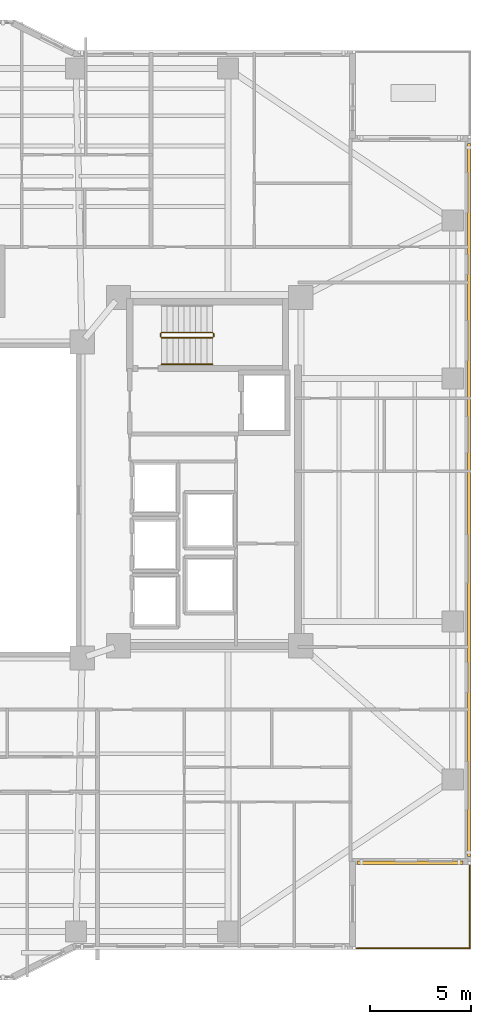
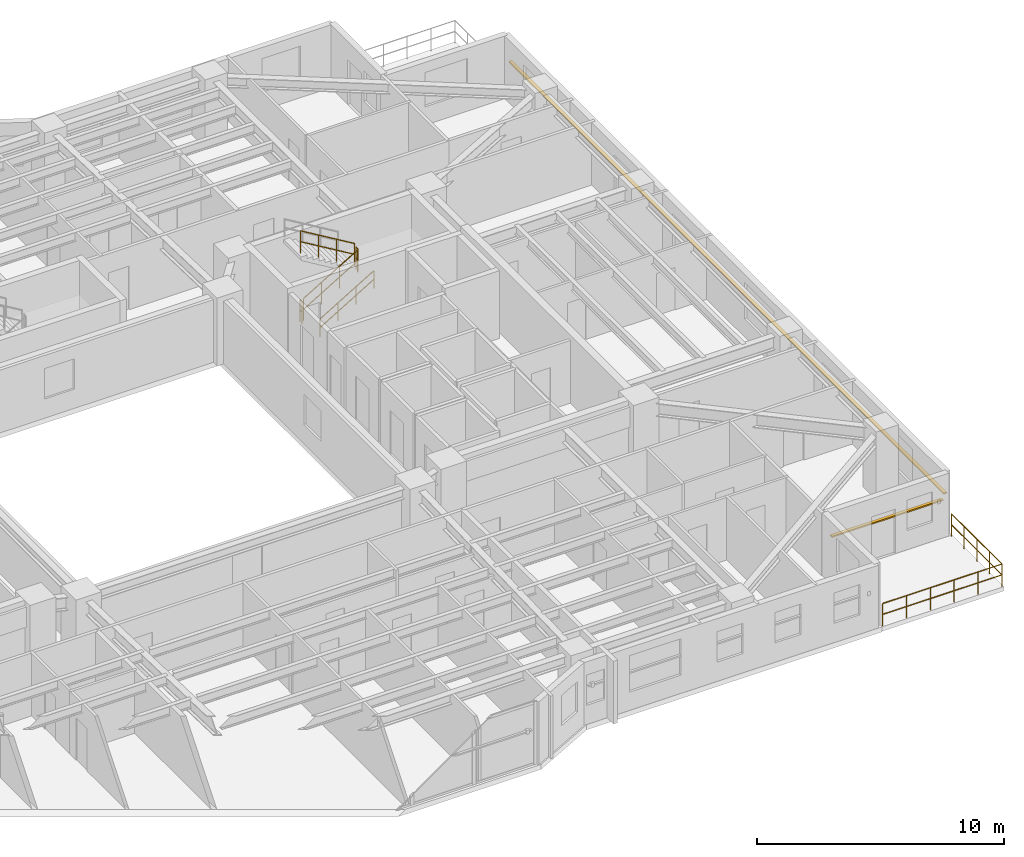
# One storey, part 17 of 19: 7 railings, 2 shading devices.
"""IFC4 building model written with IfcOpenShell, lengths in metres."""

from ifc_helpers import new_model, si_unit, direction, frame, origin, origin_2d, place, context, subcontext, project, spatial, rectangle, circle, extrude, material, material_profile, profile_set, type_object, element, save


model = new_model("IFC4")

# Units and contexts
model_context = context("Model", 3, precision=1e-05, world=origin(), true_north=direction((0.0, 1.0)))
body_context = subcontext(model_context, "Body", "Model", "MODEL_VIEW")
ifc_project = project(units=[si_unit("LENGTHUNIT", "METRE"), si_unit("AREAUNIT", "SQUARE_METRE"), si_unit("VOLUMEUNIT", "CUBIC_METRE"), si_unit("PLANEANGLEUNIT", "RADIAN"), si_unit("MASSUNIT", "GRAM", prefix="KILO")], contexts=[model_context])

# Site, building, storey
site_placement = place(None, origin())
site = spatial("IfcSite", under=ifc_project, at=site_placement, CompositionType="ELEMENT")
building_placement = place(site_placement, origin())
building = spatial("IfcBuilding", under=site, at=building_placement, Name="Tarnavaz Court Tower", CompositionType="ELEMENT")
storey_placement = place(building_placement, frame((0.0, 0.0, 78.300048828125)))
storey = spatial("IfcBuildingStorey", under=building, at=storey_placement, Name="L20", CompositionType="ELEMENT", Elevation=78.300048828125)

# Railings
ifc_material_1 = material(Name="Anodised Aluminium 6063-T6 and Laminated Safety Glass", Category="aluminium")
railing_type_1 = type_object("IfcRailingType", Name="RL-BAL-1120", PredefinedType="BALUSTRADE", material=ifc_material_1)
railing_1_placement = place(storey_placement, frame((21.360107421875, -22.139892578125, 0.0)))
element("IfcRailing", 1, at=railing_1_placement, inside=storey, type_object=railing_type_1, Name="L20 Terrace 3 S Perimeter Balustrade", PredefinedType="BALUSTRADE", context=body_context, shape_type="SweptSolid", body=[
    extrude(circle(Radius=0.02392578125, at=origin_2d()), frame((0.0, 0.0, 1.09619140625), z_axis=(1.0, 0.0, 0.0), x_axis=(0.0, 1.0, 0.0)), (0.0, 0.0, 1.0), 5.579833984375),
    extrude(circle(Radius=0.02392578125, at=origin_2d()), frame((0.0, 0.0, 0.56005859375), z_axis=(1.0, 0.0, 0.0), x_axis=(0.0, 1.0, 0.0)), (0.0, 0.0, 1.0), 5.579833984375),
    extrude(circle(Radius=0.02099609375, at=origin_2d()), origin(), (0.0, 0.0, 1.0), 1.072021484375),
    extrude(circle(Radius=0.02099609375, at=origin_2d()), frame((1.115966796875, 0.0, 0.0)), (0.0, 0.0, 1.0), 1.072021484375),
    extrude(circle(Radius=0.02099609375, at=origin_2d()), frame((2.23193359375, 0.0, 0.0)), (0.0, 0.0, 1.0), 1.072021484375),
    extrude(circle(Radius=0.02099609375, at=origin_2d()), frame((3.347900390625, 0.0, 0.0)), (0.0, 0.0, 1.0), 1.072021484375),
    extrude(circle(Radius=0.02099609375, at=origin_2d()), frame((4.4638671875, 0.0, 0.0)), (0.0, 0.0, 1.0), 1.072021484375),
    extrude(circle(Radius=0.02099609375, at=origin_2d()), frame((5.579833984375, 0.0, 0.0)), (0.0, 0.0, 1.0), 1.072021484375),
])
railing_2_placement = place(storey_placement, frame((26.93994140625, -22.139892578125, 0.0)))
element("IfcRailing", 2, at=railing_2_placement, inside=storey, type_object=railing_type_1, Name="L20 Terrace 3 E Perimeter Balustrade", PredefinedType="BALUSTRADE", context=body_context, shape_type="SweptSolid", body=[
    extrude(circle(Radius=0.02392578125, at=origin_2d()), frame((0.0, 0.0, 1.09619140625), z_axis=(0.0, 1.0, 0.0), x_axis=(-1.0, 0.0, 0.0)), (0.0, 0.0, 1.0), 4.079833984375),
    extrude(circle(Radius=0.02392578125, at=origin_2d()), frame((0.0, 0.0, 0.56005859375), z_axis=(0.0, 1.0, 0.0), x_axis=(-1.0, 0.0, 0.0)), (0.0, 0.0, 1.0), 4.079833984375),
    extrude(circle(Radius=0.02099609375, at=origin_2d()), origin(), (0.0, 0.0, 1.0), 1.072021484375),
    extrude(circle(Radius=0.02099609375, at=origin_2d()), frame((0.0, 1.02001953125, 0.0)), (0.0, 0.0, 1.0), 1.072021484375),
    extrude(circle(Radius=0.02099609375, at=origin_2d()), frame((0.0, 2.0400390625, 0.0)), (0.0, 0.0, 1.0), 1.072021484375),
    extrude(circle(Radius=0.02099609375, at=origin_2d()), frame((0.0, 3.059814453125, 0.0)), (0.0, 0.0, 1.0), 1.072021484375),
    extrude(circle(Radius=0.02099609375, at=origin_2d()), frame((0.0, 4.079833984375, 0.0)), (0.0, 0.0, 1.0), 1.072021484375),
])
ifc_material_2 = material(Name="Brushed Stainless Steel", Category="steel")
railing_type_2 = type_object("IfcRailingType", Name="RL-HANDRAIL-900", PredefinedType="HANDRAIL", material=ifc_material_2)
railing_3_placement = place(storey_placement, frame((11.719970703125, 6.699951171875, 0.16748046875)))
element("IfcRailing", 3, at=railing_3_placement, inside=storey, type_object=railing_type_2, Name="L20 ST-E1 stair handrail 1", PredefinedType="HANDRAIL", context=body_context, shape_type="SweptSolid", body=[
    extrude(circle(Radius=0.02392578125, at=origin_2d()), frame((0.0, 0.0, 0.8759765625), z_axis=(0.858159760407, 0.0, 0.513382728203), x_axis=(0.0, 1.0, 0.0)), (0.0, 0.0, 1.0), 2.9365234375),
    extrude(circle(Radius=0.02392578125, at=origin_2d()), frame((0.0, 0.0, 0.449951171875), z_axis=(0.858159760407, 0.0, 0.513382728203), x_axis=(0.0, 1.0, 0.0)), (0.0, 0.0, 1.0), 2.9365234375),
    extrude(circle(Radius=0.02099609375, at=origin_2d()), origin(), (0.0, 0.0, 1.0), 0.851806640625),
    extrude(circle(Radius=0.02099609375, at=origin_2d()), frame((0.840087890625, 0.0, 0.50244140625)), (0.0, 0.0, 1.0), 0.851806640625),
    extrude(circle(Radius=0.02099609375, at=origin_2d()), frame((1.679931640625, 0.0, 1.005126953125)), (0.0, 0.0, 1.0), 0.851806640625),
    extrude(circle(Radius=0.02099609375, at=origin_2d()), frame((2.52001953125, 0.0, 1.507568359375)), (0.0, 0.0, 1.0), 0.851806640625),
])
ifc_material_3 = material(Name="Galvanized Painted Tubular Steel", Category="steel")
railing_type_3 = type_object("IfcRailingType", Name="RL-STGUARD-1120", PredefinedType="GUARDRAIL", material=ifc_material_3)
railing_4_placement = place(storey_placement, frame((11.719970703125, 8.02001953125, 0.16748046875)))
element("IfcRailing", 4, at=railing_4_placement, inside=storey, type_object=railing_type_3, Name="L20 ST-E1 stair guard 1", PredefinedType="GUARDRAIL", context=body_context, shape_type="SweptSolid", body=[
    extrude(circle(Radius=0.02392578125, at=origin_2d()), frame((0.0, 0.0, 1.09619140625), z_axis=(0.858159760407, 0.0, 0.513382728203), x_axis=(0.0, 1.0, 0.0)), (0.0, 0.0, 1.0), 2.9365234375),
    extrude(circle(Radius=0.02392578125, at=origin_2d()), frame((0.0, 0.0, 0.56005859375), z_axis=(0.858159760407, 0.0, 0.513382728203), x_axis=(0.0, 1.0, 0.0)), (0.0, 0.0, 1.0), 2.9365234375),
    extrude(circle(Radius=0.02099609375, at=origin_2d()), origin(), (0.0, 0.0, 1.0), 1.072021484375),
    extrude(circle(Radius=0.02099609375, at=origin_2d()), frame((0.840087890625, 0.0, 0.50244140625)), (0.0, 0.0, 1.0), 1.072021484375),
    extrude(circle(Radius=0.02099609375, at=origin_2d()), frame((1.679931640625, 0.0, 1.005126953125)), (0.0, 0.0, 1.0), 1.072021484375),
    extrude(circle(Radius=0.02099609375, at=origin_2d()), frame((2.52001953125, 0.0, 1.507568359375)), (0.0, 0.0, 1.0), 1.072021484375),
])
railing_5_placement = place(storey_placement, frame((14.2900390625, 8.070068359375, 1.675048828125)))
element("IfcRailing", 5, at=railing_5_placement, inside=storey, type_object=railing_type_3, Name="L20 ST-E1 stair guard 2", PredefinedType="GUARDRAIL", context=body_context, shape_type="SweptSolid", body=[
    extrude(circle(Radius=0.02392578125, at=origin_2d()), frame((0.0, 0.0, 1.09619140625), z_axis=(0.0, 1.0, 0.0), x_axis=(-1.0, 0.0, 0.0)), (0.0, 0.0, 1.0), 0.14990234375),
    extrude(circle(Radius=0.02392578125, at=origin_2d()), frame((0.0, 0.0, 0.56005859375), z_axis=(0.0, 1.0, 0.0), x_axis=(-1.0, 0.0, 0.0)), (0.0, 0.0, 1.0), 0.14990234375),
    extrude(circle(Radius=0.02099609375, at=origin_2d()), origin(), (0.0, 0.0, 1.0), 1.072021484375),
    extrude(circle(Radius=0.02099609375, at=origin_2d()), frame((0.0, 0.14990234375, 0.0)), (0.0, 0.0, 1.0), 1.072021484375),
])
railing_6_placement = place(storey_placement, frame((14.239990234375, 8.27001953125, 1.842529296875)))
element("IfcRailing", 6, at=railing_6_placement, inside=storey, type_object=railing_type_3, Name="L20 ST-E1 stair guard 3", PredefinedType="GUARDRAIL", context=body_context, shape_type="SweptSolid", body=[
    extrude(circle(Radius=0.02392578125, at=origin_2d()), frame((0.0, 0.0, 1.09619140625), z_axis=(-0.858196387827, 0.0, 0.513321497621), x_axis=(0.0, -1.0, 0.0)), (0.0, 0.0, 1.0), 2.9365234375),
    extrude(circle(Radius=0.02392578125, at=origin_2d()), frame((0.0, 0.0, 0.56005859375), z_axis=(-0.858196387827, 0.0, 0.513321497621), x_axis=(0.0, -1.0, 0.0)), (0.0, 0.0, 1.0), 2.9365234375),
    extrude(circle(Radius=0.02099609375, at=origin_2d()), origin(), (0.0, 0.0, 1.0), 1.072021484375),
    extrude(circle(Radius=0.02099609375, at=origin_2d()), frame((-0.840087890625, 0.0, 0.50244140625)), (0.0, 0.0, 1.0), 1.072021484375),
    extrude(circle(Radius=0.02099609375, at=origin_2d()), frame((-1.679931640625, 0.0, 1.0048828125)), (0.0, 0.0, 1.0), 1.072021484375),
    extrude(circle(Radius=0.02099609375, at=origin_2d()), frame((-2.52001953125, 0.0, 1.50732421875)), (0.0, 0.0, 1.0), 1.072021484375),
])
railing_7_placement = place(storey_placement, frame((11.669921875, 8.070068359375, 0.0)))
element("IfcRailing", 7, at=railing_7_placement, inside=storey, type_object=railing_type_3, Name="L20 ST-E1 stair guard 4", PredefinedType="GUARDRAIL", context=body_context, shape_type="SweptSolid", body=[
    extrude(circle(Radius=0.02392578125, at=origin_2d()), frame((0.0, 0.0, 1.09619140625), z_axis=(0.0, 1.0, 0.0), x_axis=(-1.0, 0.0, 0.0)), (0.0, 0.0, 1.0), 0.14990234375),
    extrude(circle(Radius=0.02392578125, at=origin_2d()), frame((0.0, 0.0, 0.56005859375), z_axis=(0.0, 1.0, 0.0), x_axis=(-1.0, 0.0, 0.0)), (0.0, 0.0, 1.0), 0.14990234375),
    extrude(circle(Radius=0.02099609375, at=origin_2d()), origin(), (0.0, 0.0, 1.0), 1.072021484375),
    extrude(circle(Radius=0.02099609375, at=origin_2d()), frame((0.0, 0.14990234375, 0.0)), (0.0, 0.0, 1.0), 1.072021484375),
])

# Shading devices
ifc_material_4 = material(Name="Kiln-Fired Khorasan Terracotta Ceramic", Category="masonry")
ifc_material_profile = material_profile(ifc_material_4, rectangle(XDim=0.14990234375, YDim=0.06494140625, at=origin_2d()), Name="TC BAGUETTE 150X65")
ifc_profile_set = profile_set([ifc_material_profile], Name="Kiln-Fired Khorasan Terracotta Ceramic")
shading_device_type = type_object("IfcShadingDeviceType", Name="SD-BAG-150", PredefinedType="USERDEFINED", material=ifc_profile_set)
shading_device_1_placement = place(storey_placement, frame((26.909912109375, 17.60009765625, 1.849853515625), z_axis=(0.0, -1.0, 0.0), x_axis=(1.0, 0.0, 0.0)))
element("IfcShadingDevice", 8, at=shading_device_1_placement, inside=storey, type_object=shading_device_type, Name="L20 Terracotta Baguette Screen FBG12", ObjectType="BAGUETTE", PredefinedType="USERDEFINED", context=body_context, shape_type="SweptSolid", body=[
    extrude(rectangle(XDim=0.14990234375, YDim=0.06494140625, at=origin_2d()), origin(), (0.0, 0.0, 1.0), 35.2001953125),
])
shading_device_2_placement = place(storey_placement, frame((26.60009765625, -17.909912109375, 1.849853515625), z_axis=(-1.0, 0.0, 0.0), x_axis=(0.0, -1.0, 0.0)))
element("IfcShadingDevice", 9, at=shading_device_2_placement, inside=storey, type_object=shading_device_type, Name="L20 Terracotta Baguette Screen FBG13", ObjectType="BAGUETTE", PredefinedType="USERDEFINED", context=body_context, shape_type="SweptSolid", body=[
    extrude(rectangle(XDim=0.14990234375, YDim=0.06494140625, at=origin_2d()), origin(), (0.0, 0.0, 1.0), 5.2001953125),
])

save(model, "model.ifc")
